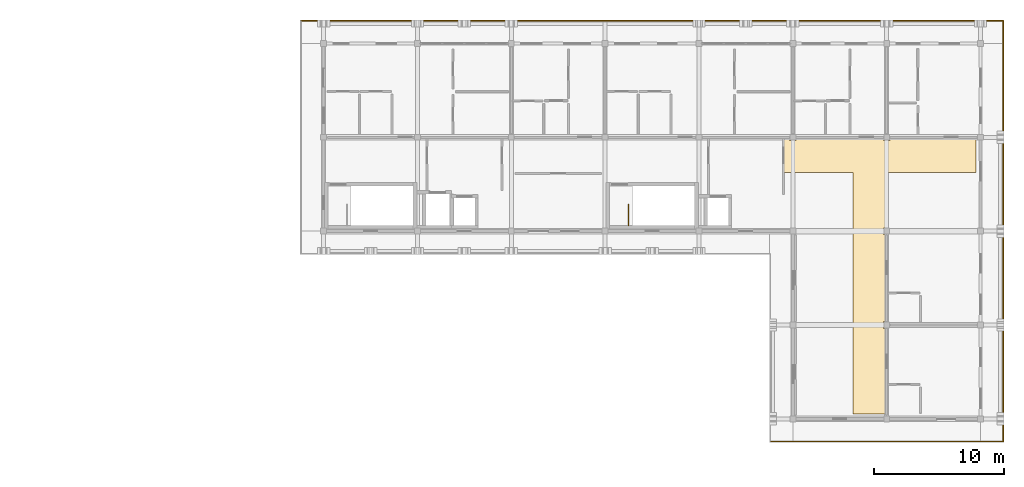
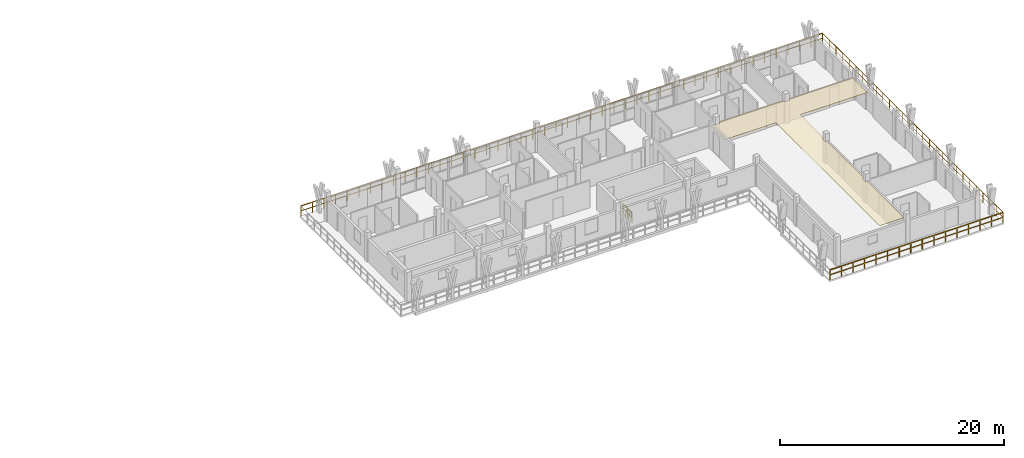
# One storey, part 32 of 32: 4 railings, 1 covering.
"""IFC4 building model written with IfcOpenShell, lengths in metres."""

from ifc_helpers import new_model, si_unit, direction, frame, origin, origin_2d, place, context, subcontext, project, spatial, polyline, rectangle, outline, extrude, material, layer, layer_set, type_object, element, save


model = new_model("IFC4")

# Units and contexts
model_context = context("Model", 3, precision=1e-05, world=origin(), true_north=direction((0.0, 1.0)))
body_context = subcontext(model_context, "Body", "Model", "MODEL_VIEW")
ifc_project = project(units=[si_unit("LENGTHUNIT", "METRE"), si_unit("AREAUNIT", "SQUARE_METRE"), si_unit("VOLUMEUNIT", "CUBIC_METRE"), si_unit("PLANEANGLEUNIT", "RADIAN"), si_unit("MASSUNIT", "GRAM", prefix="KILO")], contexts=[model_context])

# Site, building, storey
site_placement = place(None, origin())
site = spatial("IfcSite", under=ifc_project, at=site_placement, CompositionType="ELEMENT")
building_placement = place(site_placement, origin())
building = spatial("IfcBuilding", under=site, at=building_placement, Name="Suanplinth Sawtooth Commons", CompositionType="ELEMENT")
storey_placement = place(building_placement, frame((0.0, 0.0, 41.199951171875)))
storey = spatial("IfcBuildingStorey", under=building, at=storey_placement, Name="L12", CompositionType="ELEMENT", Elevation=41.199951171875)

# Covering
ifc_material_1 = material(Name="Mineral fibre acoustic tile")
ifc_layer = layer(ifc_material_1, 0.0400390625, Name="Perforated mineral-fibre acoustic suspended ceiling")
ifc_layer_set = layer_set([ifc_layer], Name="Mineral fibre acoustic tile")
covering_type = type_object("IfcCoveringType", Name="CV-CE01", PredefinedType="CEILING", material=ifc_layer_set)
covering_placement = place(storey_placement, frame((0.0, 0.0, 2.380126953125)))
element("IfcCovering", 1, at=covering_placement, inside=storey, type_object=covering_type, Name="L12 Block B Corridor Acoustic Ceiling", PredefinedType="CEILING", context=body_context, shape_type="SweptSolid", body=[
    extrude(outline(polyline([(172.544921875, 115.1201171875), (172.544921875, 114.945068359375), (173.054931640625, 114.945068359375), (173.054931640625, 115.1201171875), (179.7451171875, 115.1201171875), (179.7451171875, 114.945068359375), (180.2548828125, 114.945068359375), (180.2548828125, 115.1201171875), (186.840087890625, 115.1201171875), (186.840087890625, 112.5), (179.919921875, 112.5), (179.919921875, 108.2548828125), (179.7451171875, 108.2548828125), (179.7451171875, 107.7451171875), (179.919921875, 107.7451171875), (179.919921875, 101.054931640625), (179.7451171875, 101.054931640625), (179.7451171875, 100.544921875), (179.919921875, 100.544921875), (179.919921875, 93.9599609375), (177.39990234375, 93.9599609375), (177.39990234375, 112.5), (172.1201171875, 112.5), (172.1201171875, 115.1201171875), (172.544921875, 115.1201171875)])), origin(), (0.0, 0.0, 1.0), 0.0400390625),
])

# Railings
ifc_material_2 = material(Name="Powder-coated galvanized steel", Category="steel")
railing_type_1 = type_object("IfcRailingType", Name="GR-01", PredefinedType="BALUSTRADE", material=ifc_material_2)
railing_1_placement = place(storey_placement, frame((135.06005859375, 124.139892578125, 0.0)))
element("IfcRailing", 2, at=railing_1_placement, inside=storey, type_object=railing_type_1, Name="L12 Block B Perimeter Balustrade 4", PredefinedType="BALUSTRADE", context=body_context, shape_type="SweptSolid", body=[
    extrude(rectangle(XDim=0.048095703125, YDim=0.048095703125, at=origin_2d()), frame((0.0, 0.0, 1.09619140625), z_axis=(1.0, 0.0, 0.0), x_axis=(0.0, 1.0, 0.0)), (0.0, 0.0, 1.0), 53.8798828125),
    extrude(rectangle(XDim=0.03369140625, YDim=0.03369140625, at=origin_2d()), frame((0.0, 0.0, 0.56005859375), z_axis=(1.0, 0.0, 0.0), x_axis=(0.0, 1.0, 0.0)), (0.0, 0.0, 1.0), 53.8798828125),
    extrude(rectangle(XDim=0.0419921875, YDim=0.0419921875, at=origin_2d()), origin(), (0.0, 0.0, 1.0), 1.072021484375),
    extrude(rectangle(XDim=0.0419921875, YDim=0.0419921875, at=origin_2d()), frame((1.197265625, 0.0, 0.0)), (0.0, 0.0, 1.0), 1.072021484375),
    extrude(rectangle(XDim=0.0419921875, YDim=0.0419921875, at=origin_2d()), frame((2.394775390625, 0.0, 0.0)), (0.0, 0.0, 1.0), 1.072021484375),
    extrude(rectangle(XDim=0.0419921875, YDim=0.0419921875, at=origin_2d()), frame((3.592041015625, 0.0, 0.0)), (0.0, 0.0, 1.0), 1.072021484375),
    extrude(rectangle(XDim=0.0419921875, YDim=0.0419921875, at=origin_2d()), frame((4.789306640625, 0.0, 0.0)), (0.0, 0.0, 1.0), 1.072021484375),
    extrude(rectangle(XDim=0.0419921875, YDim=0.0419921875, at=origin_2d()), frame((5.986572265625, 0.0, 0.0)), (0.0, 0.0, 1.0), 1.072021484375),
    extrude(rectangle(XDim=0.0419921875, YDim=0.0419921875, at=origin_2d()), frame((7.18408203125, 0.0, 0.0)), (0.0, 0.0, 1.0), 1.072021484375),
    extrude(rectangle(XDim=0.0419921875, YDim=0.0419921875, at=origin_2d()), frame((8.38134765625, 0.0, 0.0)), (0.0, 0.0, 1.0), 1.072021484375),
    extrude(rectangle(XDim=0.0419921875, YDim=0.0419921875, at=origin_2d()), frame((9.57861328125, 0.0, 0.0)), (0.0, 0.0, 1.0), 1.072021484375),
    extrude(rectangle(XDim=0.0419921875, YDim=0.0419921875, at=origin_2d()), frame((10.77587890625, 0.0, 0.0)), (0.0, 0.0, 1.0), 1.072021484375),
    extrude(rectangle(XDim=0.0419921875, YDim=0.0419921875, at=origin_2d()), frame((11.973388671875, 0.0, 0.0)), (0.0, 0.0, 1.0), 1.072021484375),
    extrude(rectangle(XDim=0.0419921875, YDim=0.0419921875, at=origin_2d()), frame((13.170654296875, 0.0, 0.0)), (0.0, 0.0, 1.0), 1.072021484375),
    extrude(rectangle(XDim=0.0419921875, YDim=0.0419921875, at=origin_2d()), frame((14.367919921875, 0.0, 0.0)), (0.0, 0.0, 1.0), 1.072021484375),
    extrude(rectangle(XDim=0.0419921875, YDim=0.0419921875, at=origin_2d()), frame((15.565185546875, 0.0, 0.0)), (0.0, 0.0, 1.0), 1.072021484375),
    extrude(rectangle(XDim=0.0419921875, YDim=0.0419921875, at=origin_2d()), frame((16.7626953125, 0.0, 0.0)), (0.0, 0.0, 1.0), 1.072021484375),
    extrude(rectangle(XDim=0.0419921875, YDim=0.0419921875, at=origin_2d()), frame((17.9599609375, 0.0, 0.0)), (0.0, 0.0, 1.0), 1.072021484375),
    extrude(rectangle(XDim=0.0419921875, YDim=0.0419921875, at=origin_2d()), frame((19.1572265625, 0.0, 0.0)), (0.0, 0.0, 1.0), 1.072021484375),
    extrude(rectangle(XDim=0.0419921875, YDim=0.0419921875, at=origin_2d()), frame((20.354736328125, 0.0, 0.0)), (0.0, 0.0, 1.0), 1.072021484375),
    extrude(rectangle(XDim=0.0419921875, YDim=0.0419921875, at=origin_2d()), frame((21.552001953125, 0.0, 0.0)), (0.0, 0.0, 1.0), 1.072021484375),
    extrude(rectangle(XDim=0.0419921875, YDim=0.0419921875, at=origin_2d()), frame((22.749267578125, 0.0, 0.0)), (0.0, 0.0, 1.0), 1.072021484375),
    extrude(rectangle(XDim=0.0419921875, YDim=0.0419921875, at=origin_2d()), frame((23.946533203125, 0.0, 0.0)), (0.0, 0.0, 1.0), 1.072021484375),
    extrude(rectangle(XDim=0.0419921875, YDim=0.0419921875, at=origin_2d()), frame((25.14404296875, 0.0, 0.0)), (0.0, 0.0, 1.0), 1.072021484375),
    extrude(rectangle(XDim=0.0419921875, YDim=0.0419921875, at=origin_2d()), frame((26.34130859375, 0.0, 0.0)), (0.0, 0.0, 1.0), 1.072021484375),
    extrude(rectangle(XDim=0.0419921875, YDim=0.0419921875, at=origin_2d()), frame((27.53857421875, 0.0, 0.0)), (0.0, 0.0, 1.0), 1.072021484375),
    extrude(rectangle(XDim=0.0419921875, YDim=0.0419921875, at=origin_2d()), frame((28.73583984375, 0.0, 0.0)), (0.0, 0.0, 1.0), 1.072021484375),
    extrude(rectangle(XDim=0.0419921875, YDim=0.0419921875, at=origin_2d()), frame((29.933349609375, 0.0, 0.0)), (0.0, 0.0, 1.0), 1.072021484375),
    extrude(rectangle(XDim=0.0419921875, YDim=0.0419921875, at=origin_2d()), frame((31.130615234375, 0.0, 0.0)), (0.0, 0.0, 1.0), 1.072021484375),
    extrude(rectangle(XDim=0.0419921875, YDim=0.0419921875, at=origin_2d()), frame((32.327880859375, 0.0, 0.0)), (0.0, 0.0, 1.0), 1.072021484375),
    extrude(rectangle(XDim=0.0419921875, YDim=0.0419921875, at=origin_2d()), frame((33.525146484375, 0.0, 0.0)), (0.0, 0.0, 1.0), 1.072021484375),
    extrude(rectangle(XDim=0.0419921875, YDim=0.0419921875, at=origin_2d()), frame((34.72265625, 0.0, 0.0)), (0.0, 0.0, 1.0), 1.072021484375),
    extrude(rectangle(XDim=0.0419921875, YDim=0.0419921875, at=origin_2d()), frame((35.919921875, 0.0, 0.0)), (0.0, 0.0, 1.0), 1.072021484375),
    extrude(rectangle(XDim=0.0419921875, YDim=0.0419921875, at=origin_2d()), frame((37.1171875, 0.0, 0.0)), (0.0, 0.0, 1.0), 1.072021484375),
    extrude(rectangle(XDim=0.0419921875, YDim=0.0419921875, at=origin_2d()), frame((38.314697265625, 0.0, 0.0)), (0.0, 0.0, 1.0), 1.072021484375),
    extrude(rectangle(XDim=0.0419921875, YDim=0.0419921875, at=origin_2d()), frame((39.511962890625, 0.0, 0.0)), (0.0, 0.0, 1.0), 1.072021484375),
    extrude(rectangle(XDim=0.0419921875, YDim=0.0419921875, at=origin_2d()), frame((40.709228515625, 0.0, 0.0)), (0.0, 0.0, 1.0), 1.072021484375),
    extrude(rectangle(XDim=0.0419921875, YDim=0.0419921875, at=origin_2d()), frame((41.906494140625, 0.0, 0.0)), (0.0, 0.0, 1.0), 1.072021484375),
    extrude(rectangle(XDim=0.0419921875, YDim=0.0419921875, at=origin_2d()), frame((43.10400390625, 0.0, 0.0)), (0.0, 0.0, 1.0), 1.072021484375),
    extrude(rectangle(XDim=0.0419921875, YDim=0.0419921875, at=origin_2d()), frame((44.30126953125, 0.0, 0.0)), (0.0, 0.0, 1.0), 1.072021484375),
    extrude(rectangle(XDim=0.0419921875, YDim=0.0419921875, at=origin_2d()), frame((45.49853515625, 0.0, 0.0)), (0.0, 0.0, 1.0), 1.072021484375),
    extrude(rectangle(XDim=0.0419921875, YDim=0.0419921875, at=origin_2d()), frame((46.69580078125, 0.0, 0.0)), (0.0, 0.0, 1.0), 1.072021484375),
    extrude(rectangle(XDim=0.0419921875, YDim=0.0419921875, at=origin_2d()), frame((47.893310546875, 0.0, 0.0)), (0.0, 0.0, 1.0), 1.072021484375),
    extrude(rectangle(XDim=0.0419921875, YDim=0.0419921875, at=origin_2d()), frame((49.090576171875, 0.0, 0.0)), (0.0, 0.0, 1.0), 1.072021484375),
    extrude(rectangle(XDim=0.0419921875, YDim=0.0419921875, at=origin_2d()), frame((50.287841796875, 0.0, 0.0)), (0.0, 0.0, 1.0), 1.072021484375),
    extrude(rectangle(XDim=0.0419921875, YDim=0.0419921875, at=origin_2d()), frame((51.485107421875, 0.0, 0.0)), (0.0, 0.0, 1.0), 1.072021484375),
    extrude(rectangle(XDim=0.0419921875, YDim=0.0419921875, at=origin_2d()), frame((52.6826171875, 0.0, 0.0)), (0.0, 0.0, 1.0), 1.072021484375),
    extrude(rectangle(XDim=0.0419921875, YDim=0.0419921875, at=origin_2d()), frame((53.8798828125, 0.0, 0.0)), (0.0, 0.0, 1.0), 1.072021484375),
])
railing_2_placement = place(storey_placement, frame((188.93994140625, 124.139892578125, 0.0)))
element("IfcRailing", 3, at=railing_2_placement, inside=storey, type_object=railing_type_1, Name="L12 Block B Perimeter Balustrade 5", PredefinedType="BALUSTRADE", context=body_context, shape_type="SweptSolid", body=[
    extrude(rectangle(XDim=0.048095703125, YDim=0.048095703125, at=origin_2d()), frame((0.0, 0.0, 1.09619140625), z_axis=(0.0, -1.0, 0.0), x_axis=(1.0, 0.0, 0.0)), (0.0, 0.0, 1.0), 32.27978515625),
    extrude(rectangle(XDim=0.03369140625, YDim=0.03369140625, at=origin_2d()), frame((0.0, 0.0, 0.56005859375), z_axis=(0.0, -1.0, 0.0), x_axis=(1.0, 0.0, 0.0)), (0.0, 0.0, 1.0), 32.27978515625),
    extrude(rectangle(XDim=0.0419921875, YDim=0.0419921875, at=origin_2d()), origin(), (0.0, 0.0, 1.0), 1.072021484375),
    extrude(rectangle(XDim=0.0419921875, YDim=0.0419921875, at=origin_2d()), frame((0.0, -1.195556640625, 0.0)), (0.0, 0.0, 1.0), 1.072021484375),
    extrude(rectangle(XDim=0.0419921875, YDim=0.0419921875, at=origin_2d()), frame((0.0, -2.39111328125, 0.0)), (0.0, 0.0, 1.0), 1.072021484375),
    extrude(rectangle(XDim=0.0419921875, YDim=0.0419921875, at=origin_2d()), frame((0.0, -3.586669921875, 0.0)), (0.0, 0.0, 1.0), 1.072021484375),
    extrude(rectangle(XDim=0.0419921875, YDim=0.0419921875, at=origin_2d()), frame((0.0, -4.7822265625, 0.0)), (0.0, 0.0, 1.0), 1.072021484375),
    extrude(rectangle(XDim=0.0419921875, YDim=0.0419921875, at=origin_2d()), frame((0.0, -5.977783203125, 0.0)), (0.0, 0.0, 1.0), 1.072021484375),
    extrude(rectangle(XDim=0.0419921875, YDim=0.0419921875, at=origin_2d()), frame((0.0, -7.17333984375, 0.0)), (0.0, 0.0, 1.0), 1.072021484375),
    extrude(rectangle(XDim=0.0419921875, YDim=0.0419921875, at=origin_2d()), frame((0.0, -8.368896484375, 0.0)), (0.0, 0.0, 1.0), 1.072021484375),
    extrude(rectangle(XDim=0.0419921875, YDim=0.0419921875, at=origin_2d()), frame((0.0, -9.564453125, 0.0)), (0.0, 0.0, 1.0), 1.072021484375),
    extrude(rectangle(XDim=0.0419921875, YDim=0.0419921875, at=origin_2d()), frame((0.0, -10.760009765625, 0.0)), (0.0, 0.0, 1.0), 1.072021484375),
    extrude(rectangle(XDim=0.0419921875, YDim=0.0419921875, at=origin_2d()), frame((0.0, -11.95556640625, 0.0)), (0.0, 0.0, 1.0), 1.072021484375),
    extrude(rectangle(XDim=0.0419921875, YDim=0.0419921875, at=origin_2d()), frame((0.0, -13.151123046875, 0.0)), (0.0, 0.0, 1.0), 1.072021484375),
    extrude(rectangle(XDim=0.0419921875, YDim=0.0419921875, at=origin_2d()), frame((0.0, -14.3466796875, 0.0)), (0.0, 0.0, 1.0), 1.072021484375),
    extrude(rectangle(XDim=0.0419921875, YDim=0.0419921875, at=origin_2d()), frame((0.0, -15.542236328125, 0.0)), (0.0, 0.0, 1.0), 1.072021484375),
    extrude(rectangle(XDim=0.0419921875, YDim=0.0419921875, at=origin_2d()), frame((0.0, -16.737548828125, 0.0)), (0.0, 0.0, 1.0), 1.072021484375),
    extrude(rectangle(XDim=0.0419921875, YDim=0.0419921875, at=origin_2d()), frame((0.0, -17.93310546875, 0.0)), (0.0, 0.0, 1.0), 1.072021484375),
    extrude(rectangle(XDim=0.0419921875, YDim=0.0419921875, at=origin_2d()), frame((0.0, -19.128662109375, 0.0)), (0.0, 0.0, 1.0), 1.072021484375),
    extrude(rectangle(XDim=0.0419921875, YDim=0.0419921875, at=origin_2d()), frame((0.0, -20.32421875, 0.0)), (0.0, 0.0, 1.0), 1.072021484375),
    extrude(rectangle(XDim=0.0419921875, YDim=0.0419921875, at=origin_2d()), frame((0.0, -21.519775390625, 0.0)), (0.0, 0.0, 1.0), 1.072021484375),
    extrude(rectangle(XDim=0.0419921875, YDim=0.0419921875, at=origin_2d()), frame((0.0, -22.71533203125, 0.0)), (0.0, 0.0, 1.0), 1.072021484375),
    extrude(rectangle(XDim=0.0419921875, YDim=0.0419921875, at=origin_2d()), frame((0.0, -23.910888671875, 0.0)), (0.0, 0.0, 1.0), 1.072021484375),
    extrude(rectangle(XDim=0.0419921875, YDim=0.0419921875, at=origin_2d()), frame((0.0, -25.1064453125, 0.0)), (0.0, 0.0, 1.0), 1.072021484375),
    extrude(rectangle(XDim=0.0419921875, YDim=0.0419921875, at=origin_2d()), frame((0.0, -26.302001953125, 0.0)), (0.0, 0.0, 1.0), 1.072021484375),
    extrude(rectangle(XDim=0.0419921875, YDim=0.0419921875, at=origin_2d()), frame((0.0, -27.49755859375, 0.0)), (0.0, 0.0, 1.0), 1.072021484375),
    extrude(rectangle(XDim=0.0419921875, YDim=0.0419921875, at=origin_2d()), frame((0.0, -28.693115234375, 0.0)), (0.0, 0.0, 1.0), 1.072021484375),
    extrude(rectangle(XDim=0.0419921875, YDim=0.0419921875, at=origin_2d()), frame((0.0, -29.888671875, 0.0)), (0.0, 0.0, 1.0), 1.072021484375),
    extrude(rectangle(XDim=0.0419921875, YDim=0.0419921875, at=origin_2d()), frame((0.0, -31.084228515625, 0.0)), (0.0, 0.0, 1.0), 1.072021484375),
    extrude(rectangle(XDim=0.0419921875, YDim=0.0419921875, at=origin_2d()), frame((0.0, -32.27978515625, 0.0)), (0.0, 0.0, 1.0), 1.072021484375),
])
railing_3_placement = place(storey_placement, frame((188.93994140625, 91.860107421875, 0.0)))
element("IfcRailing", 4, at=railing_3_placement, inside=storey, type_object=railing_type_1, Name="L12 Block B Perimeter Balustrade 6", PredefinedType="BALUSTRADE", context=body_context, shape_type="SweptSolid", body=[
    extrude(rectangle(XDim=0.048095703125, YDim=0.048095703125, at=origin_2d()), frame((0.0, 0.0, 1.09619140625), z_axis=(-1.0, 0.0, 0.0), x_axis=(0.0, -1.0, 0.0)), (0.0, 0.0, 1.0), 17.8798828125),
    extrude(rectangle(XDim=0.03369140625, YDim=0.03369140625, at=origin_2d()), frame((0.0, 0.0, 0.56005859375), z_axis=(-1.0, 0.0, 0.0), x_axis=(0.0, -1.0, 0.0)), (0.0, 0.0, 1.0), 17.8798828125),
    extrude(rectangle(XDim=0.0419921875, YDim=0.0419921875, at=origin_2d()), origin(), (0.0, 0.0, 1.0), 1.072021484375),
    extrude(rectangle(XDim=0.0419921875, YDim=0.0419921875, at=origin_2d()), frame((-1.19189453125, 0.0, 0.0)), (0.0, 0.0, 1.0), 1.072021484375),
    extrude(rectangle(XDim=0.0419921875, YDim=0.0419921875, at=origin_2d()), frame((-2.384033203125, 0.0, 0.0)), (0.0, 0.0, 1.0), 1.072021484375),
    extrude(rectangle(XDim=0.0419921875, YDim=0.0419921875, at=origin_2d()), frame((-3.575927734375, 0.0, 0.0)), (0.0, 0.0, 1.0), 1.072021484375),
    extrude(rectangle(XDim=0.0419921875, YDim=0.0419921875, at=origin_2d()), frame((-4.76806640625, 0.0, 0.0)), (0.0, 0.0, 1.0), 1.072021484375),
    extrude(rectangle(XDim=0.0419921875, YDim=0.0419921875, at=origin_2d()), frame((-5.9599609375, 0.0, 0.0)), (0.0, 0.0, 1.0), 1.072021484375),
    extrude(rectangle(XDim=0.0419921875, YDim=0.0419921875, at=origin_2d()), frame((-7.15185546875, 0.0, 0.0)), (0.0, 0.0, 1.0), 1.072021484375),
    extrude(rectangle(XDim=0.0419921875, YDim=0.0419921875, at=origin_2d()), frame((-8.343994140625, 0.0, 0.0)), (0.0, 0.0, 1.0), 1.072021484375),
    extrude(rectangle(XDim=0.0419921875, YDim=0.0419921875, at=origin_2d()), frame((-9.535888671875, 0.0, 0.0)), (0.0, 0.0, 1.0), 1.072021484375),
    extrude(rectangle(XDim=0.0419921875, YDim=0.0419921875, at=origin_2d()), frame((-10.72802734375, 0.0, 0.0)), (0.0, 0.0, 1.0), 1.072021484375),
    extrude(rectangle(XDim=0.0419921875, YDim=0.0419921875, at=origin_2d()), frame((-11.919921875, 0.0, 0.0)), (0.0, 0.0, 1.0), 1.072021484375),
    extrude(rectangle(XDim=0.0419921875, YDim=0.0419921875, at=origin_2d()), frame((-13.11181640625, 0.0, 0.0)), (0.0, 0.0, 1.0), 1.072021484375),
    extrude(rectangle(XDim=0.0419921875, YDim=0.0419921875, at=origin_2d()), frame((-14.303955078125, 0.0, 0.0)), (0.0, 0.0, 1.0), 1.072021484375),
    extrude(rectangle(XDim=0.0419921875, YDim=0.0419921875, at=origin_2d()), frame((-15.495849609375, 0.0, 0.0)), (0.0, 0.0, 1.0), 1.072021484375),
    extrude(rectangle(XDim=0.0419921875, YDim=0.0419921875, at=origin_2d()), frame((-16.68798828125, 0.0, 0.0)), (0.0, 0.0, 1.0), 1.072021484375),
    extrude(rectangle(XDim=0.0419921875, YDim=0.0419921875, at=origin_2d()), frame((-17.8798828125, 0.0, 0.0)), (0.0, 0.0, 1.0), 1.072021484375),
])
ifc_material_3 = material(Name="Stainless steel Grade 304", Category="steel")
railing_type_2 = type_object("IfcRailingType", Name="GR-04", PredefinedType="GUARDRAIL", material=ifc_material_3)
railing_4_placement = place(storey_placement, frame((160.199951171875, 108.449951171875, 0.0)))
element("IfcRailing", 5, at=railing_4_placement, inside=storey, type_object=railing_type_2, Name="L12 ST-E2 Top Well Guard 1", PredefinedType="GUARDRAIL", context=body_context, shape_type="SweptSolid", body=[
    extrude(rectangle(XDim=0.048095703125, YDim=0.048095703125, at=origin_2d()), frame((0.0, 0.0, 1.076171875), z_axis=(0.0, 1.0, 0.0), x_axis=(-1.0, 0.0, 0.0)), (0.0, 0.0, 1.0), 1.60009765625),
    extrude(rectangle(XDim=0.03369140625, YDim=0.03369140625, at=origin_2d()), frame((0.0, 0.0, 0.550048828125), z_axis=(0.0, 1.0, 0.0), x_axis=(-1.0, 0.0, 0.0)), (0.0, 0.0, 1.0), 1.60009765625),
    extrude(rectangle(XDim=0.0419921875, YDim=0.0419921875, at=origin_2d()), origin(), (0.0, 0.0, 1.0), 1.052001953125),
    extrude(rectangle(XDim=0.0419921875, YDim=0.0419921875, at=origin_2d()), frame((0.0, 0.800048828125, 0.0)), (0.0, 0.0, 1.0), 1.052001953125),
    extrude(rectangle(XDim=0.0419921875, YDim=0.0419921875, at=origin_2d()), frame((0.0, 1.60009765625, 0.0)), (0.0, 0.0, 1.0), 1.052001953125),
])

save(model, "model.ifc")
